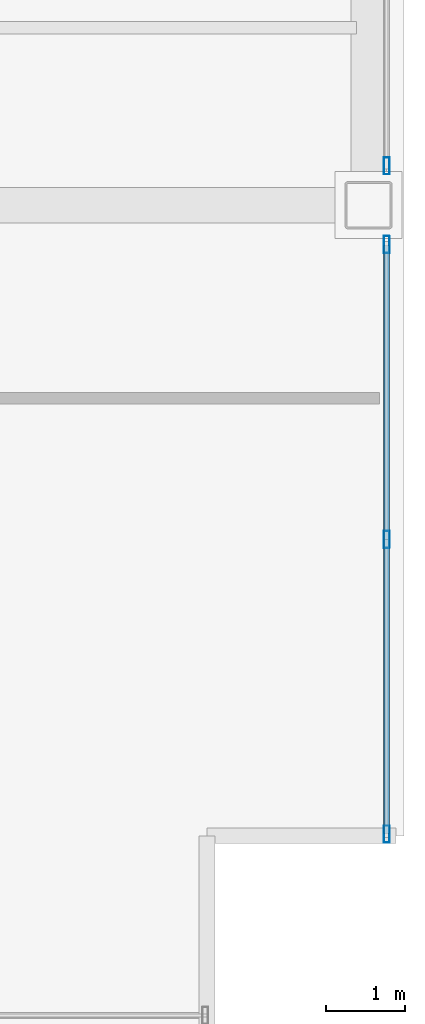
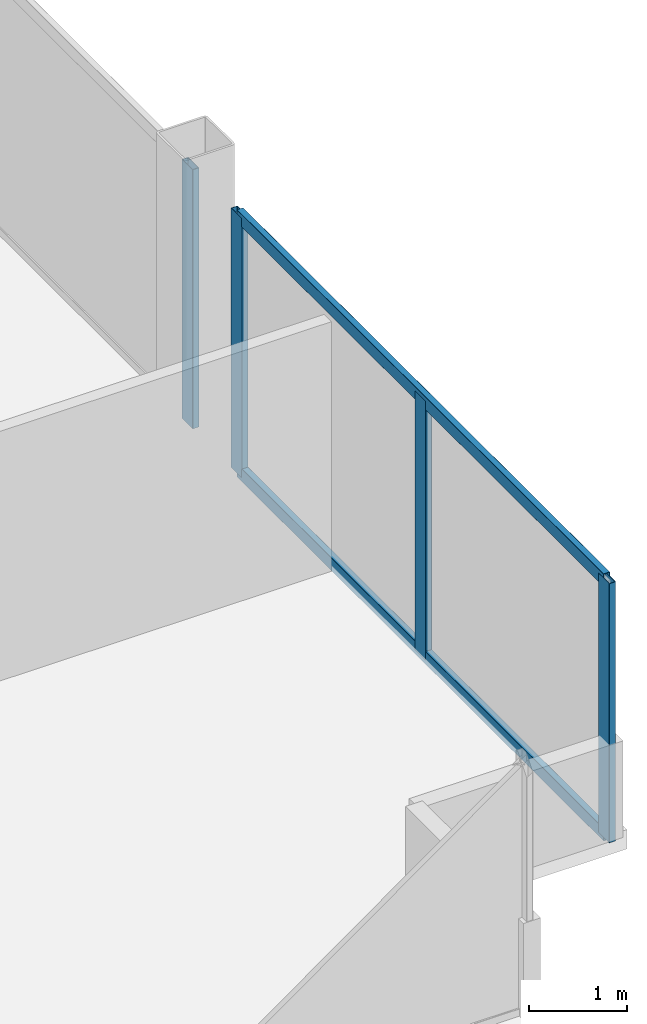
# One storey, part 11 of 21: 6 members, 2 elements without a shape of their own.
"""IFC4 building model written with IfcOpenShell, lengths in metres."""

from ifc_helpers import new_model, si_unit, direction, frame, origin, origin_2d, place, context, subcontext, project, spatial, hollow_rectangle, extrude, material, material_profile, profile_set, type_object, element, aggregate, save


model = new_model("IFC4")

# Units and contexts
model_context = context("Model", 3, precision=1e-05, world=origin(), true_north=direction((0.0, 1.0)))
body_context = subcontext(model_context, "Body", "Model", "MODEL_VIEW")
ifc_project = project(units=[si_unit("LENGTHUNIT", "METRE"), si_unit("AREAUNIT", "SQUARE_METRE"), si_unit("VOLUMEUNIT", "CUBIC_METRE"), si_unit("PLANEANGLEUNIT", "RADIAN"), si_unit("MASSUNIT", "GRAM", prefix="KILO")], contexts=[model_context])

# Site, building, storey
site_placement = place(None, origin())
site = spatial("IfcSite", under=ifc_project, at=site_placement, CompositionType="ELEMENT")
building_placement = place(site_placement, origin())
building = spatial("IfcBuilding", under=site, at=building_placement, Name="Noeulbin Bourse Tower", CompositionType="ELEMENT")
storey_placement = place(building_placement, frame((0.0, 0.0, 81.10009765625)))
storey = spatial("IfcBuildingStorey", under=building, at=storey_placement, Name="L20", CompositionType="ELEMENT", Elevation=81.10009765625)

# Curtain wall, members
ifc_material_1 = material(Name="Dark Solar-Control Double Glazing", Category="glass")
curtain_wall_type = type_object("IfcCurtainWallType", Name="CW-SYS-2", PredefinedType="NOTDEFINED", material=ifc_material_1)
curtain_wall_1_placement = place(storey_placement, origin())
curtain_wall_1 = element("IfcCurtainWall", 1, at=curtain_wall_1_placement, inside=storey, type_object=curtain_wall_type, Name="Unitised Curtain Wall CW-L20-E-S1", PredefinedType="NOTDEFINED")
ifc_material_2 = material(Name="Anodised Aluminium 6063-T6", Category="aluminium")
ifc_material_profile_1 = material_profile(ifc_material_2, hollow_rectangle(XDim=0.074951171875, YDim=0.219970703125, WallThickness=0.0048828125, InnerFilletRadius=0.00244140625, OuterFilletRadius=0.0048828125, at=origin_2d()), Name="ALU-MULL-75x220x5", Category="LoadBearing")
ifc_profile_set_1 = profile_set([ifc_material_profile_1], Name="Anodised Aluminium 6063-T6")
member_type_1 = type_object("IfcMemberType", Name="CW-SYS-2-MUL", PredefinedType="MULLION", material=ifc_profile_set_1)
member_1_placement = place(storey_placement, frame((57.280029296875, 12.02001953125, -0.02001953125), z_axis=(0.0, 0.0, 1.0), x_axis=(1.0, 0.0, 0.0)))
member_1 = element("IfcMember", 2, at=member_1_placement, type_object=member_type_1, Name="Curtain Wall Mullion CW-L20-E-S1-M00", PredefinedType="MULLION", context=body_context, shape_type="SweptSolid", body=[
    extrude(hollow_rectangle(XDim=0.074951171875, YDim=0.219970703125, WallThickness=0.0048828125, InnerFilletRadius=0.00244140625, OuterFilletRadius=0.0048828125, at=origin_2d()), origin(), (0.0, 0.0, 1.0), 3.219970703125),
])
member_2_placement = place(storey_placement, frame((57.280029296875, 15.760009765625, -0.02001953125), z_axis=(0.0, 0.0, 1.0), x_axis=(1.0, 0.0, 0.0)))
member_2 = element("IfcMember", 3, at=member_2_placement, type_object=member_type_1, Name="Curtain Wall Mullion CW-L20-E-S1-M01", PredefinedType="MULLION", context=body_context, shape_type="SweptSolid", body=[
    extrude(hollow_rectangle(XDim=0.074951171875, YDim=0.219970703125, WallThickness=0.0048828125, InnerFilletRadius=0.00244140625, OuterFilletRadius=0.0048828125, at=origin_2d()), origin(), (0.0, 0.0, 1.0), 3.219970703125),
])
member_3_placement = place(storey_placement, frame((57.280029296875, 19.5, -0.02001953125), z_axis=(0.0, 0.0, 1.0), x_axis=(1.0, 0.0, 0.0)))
member_3 = element("IfcMember", 4, at=member_3_placement, type_object=member_type_1, Name="Curtain Wall Mullion CW-L20-E-S1-M02", PredefinedType="MULLION", context=body_context, shape_type="SweptSolid", body=[
    extrude(hollow_rectangle(XDim=0.074951171875, YDim=0.219970703125, WallThickness=0.0048828125, InnerFilletRadius=0.00244140625, OuterFilletRadius=0.0048828125, at=origin_2d()), origin(), (0.0, 0.0, 1.0), 3.219970703125),
])

# Curtain wall, member
curtain_wall_2_placement = place(storey_placement, origin())
curtain_wall_2 = element("IfcCurtainWall", 5, at=curtain_wall_2_placement, inside=storey, type_object=curtain_wall_type, Name="Unitised Curtain Wall CW-L20-E-S2", PredefinedType="NOTDEFINED")
member_4_placement = place(storey_placement, frame((57.280029296875, 20.5, -0.02001953125), z_axis=(0.0, 0.0, 1.0), x_axis=(1.0, 0.0, 0.0)))
member_4 = element("IfcMember", 6, at=member_4_placement, type_object=member_type_1, Name="Curtain Wall Mullion CW-L20-E-S2-M00", PredefinedType="MULLION", context=body_context, shape_type="SweptSolid", body=[
    extrude(hollow_rectangle(XDim=0.074951171875, YDim=0.219970703125, WallThickness=0.0048828125, InnerFilletRadius=0.00244140625, OuterFilletRadius=0.0048828125, at=origin_2d()), origin(), (0.0, 0.0, 1.0), 3.219970703125),
])
aggregate(curtain_wall_2, [member_4])

# Member
ifc_material_profile_2 = material_profile(ifc_material_2, hollow_rectangle(XDim=0.074951171875, YDim=0.159912109375, WallThickness=0.0048828125, InnerFilletRadius=0.00244140625, OuterFilletRadius=0.0048828125, at=origin_2d()), Name="ALU-TRAN-75x160x5", Category="LoadBearing")
ifc_profile_set_2 = profile_set([ifc_material_profile_2], Name="Anodised Aluminium 6063-T6")
member_type_2 = type_object("IfcMemberType", Name="CW-SYS-2-TRN", PredefinedType="USERDEFINED", material=ifc_profile_set_2)
member_5_placement = place(storey_placement, frame((57.280029296875, 12.030029296875, 0.010009765625), z_axis=(0.0, 1.0, 0.0), x_axis=(-1.0, 0.0, 0.0)))
member_5 = element("IfcMember", 7, at=member_5_placement, type_object=member_type_2, Name="Curtain Wall Transom CW-L20-E-S1-T00", ObjectType="TRANSOM", PredefinedType="USERDEFINED", context=body_context, shape_type="SweptSolid", body=[
    extrude(hollow_rectangle(XDim=0.074951171875, YDim=0.159912109375, WallThickness=0.0048828125, InnerFilletRadius=0.00244140625, OuterFilletRadius=0.0048828125, at=origin_2d()), origin(), (0.0, 0.0, 1.0), 7.4599609375),
])

member_6_placement = place(storey_placement, frame((57.280029296875, 12.030029296875, 3.169921875), z_axis=(0.0, 1.0, 0.0), x_axis=(-1.0, 0.0, 0.0)))
member_6 = element("IfcMember", 8, at=member_6_placement, type_object=member_type_2, Name="Curtain Wall Transom CW-L20-E-S1-T01", ObjectType="TRANSOM", PredefinedType="USERDEFINED", context=body_context, shape_type="SweptSolid", body=[
    extrude(hollow_rectangle(XDim=0.074951171875, YDim=0.159912109375, WallThickness=0.0048828125, InnerFilletRadius=0.00244140625, OuterFilletRadius=0.0048828125, at=origin_2d()), origin(), (0.0, 0.0, 1.0), 7.4599609375),
])

aggregate(curtain_wall_1, [member_1, member_2, member_3, member_5, member_6])

save(model, "model.ifc")
